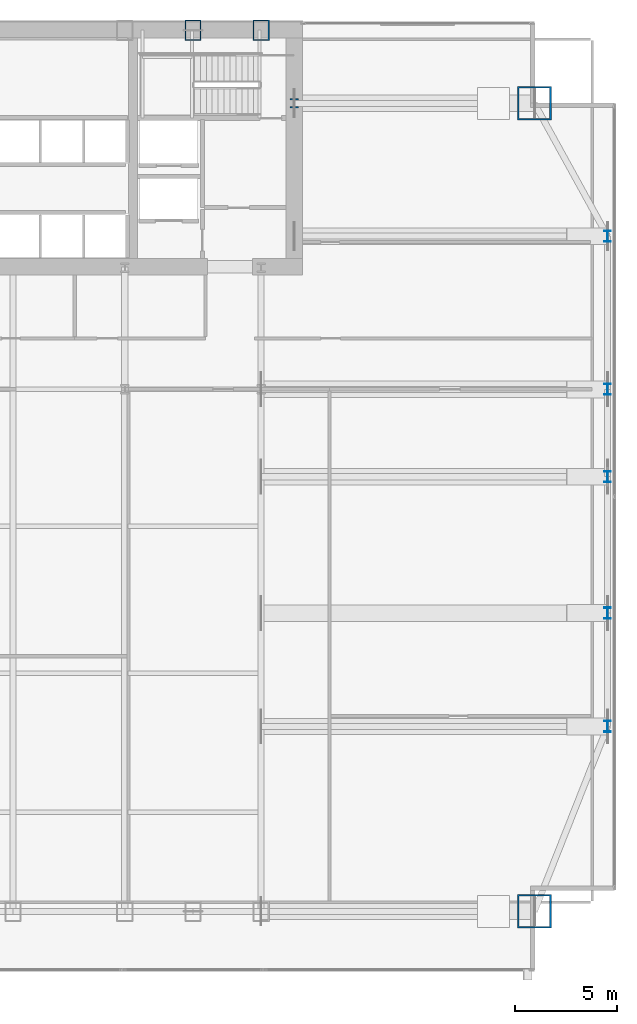
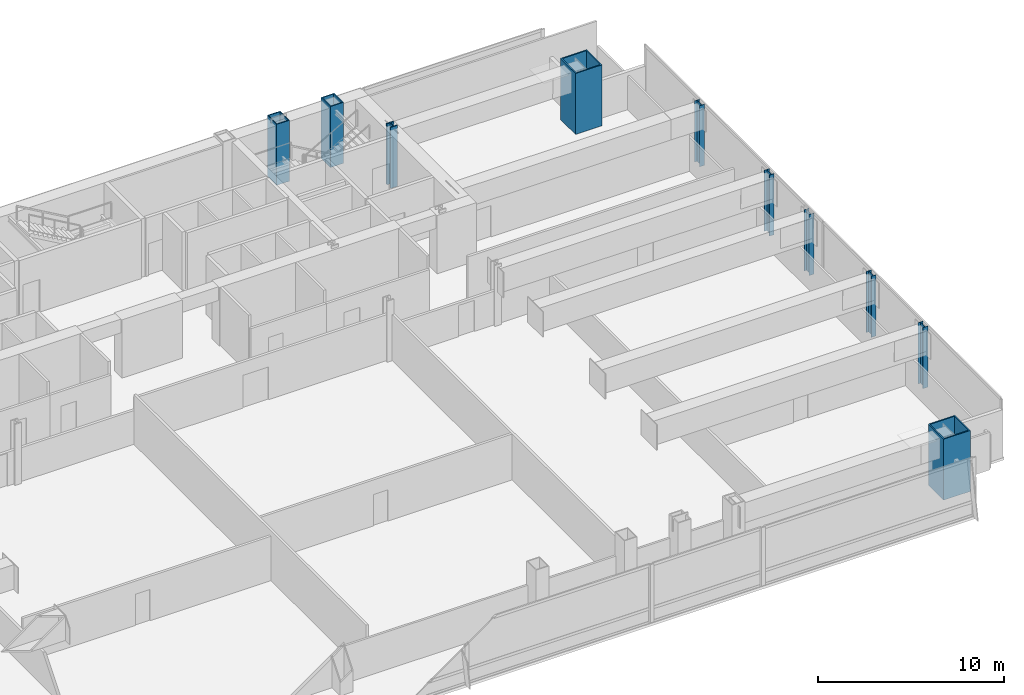
# One storey, part 4 of 32: 10 columns.
"""IFC4 building model written with IfcOpenShell, lengths in metres."""

from ifc_helpers import new_model, si_unit, direction, frame, origin, origin_2d, place, context, subcontext, project, spatial, hollow_rectangle, i_section, extrude, material, material_profile, profile_set, type_object, element, save


model = new_model("IFC4")

# Units and contexts
model_context = context("Model", 3, precision=1e-05, world=origin(), true_north=direction((0.0, 1.0)))
body_context = subcontext(model_context, "Body", "Model", "MODEL_VIEW")
ifc_project = project(units=[si_unit("LENGTHUNIT", "METRE"), si_unit("AREAUNIT", "SQUARE_METRE"), si_unit("VOLUMEUNIT", "CUBIC_METRE"), si_unit("PLANEANGLEUNIT", "RADIAN"), si_unit("MASSUNIT", "GRAM", prefix="KILO")], contexts=[model_context])

# Site, building, storey
site_placement = place(None, origin())
site = spatial("IfcSite", under=ifc_project, at=site_placement, CompositionType="ELEMENT")
building_placement = place(site_placement, origin())
building = spatial("IfcBuilding", under=site, at=building_placement, Name="Khoronbel Lancet Exchange", CompositionType="ELEMENT")
storey_placement = place(building_placement, frame((0.0, 0.0, 77.800048828125)))
storey = spatial("IfcBuildingStorey", under=building, at=storey_placement, Name="L18", CompositionType="ELEMENT", Elevation=77.800048828125)

# Columns
ifc_material_1 = material(Name="Steel S460", Category="steel")
ifc_material_profile_1 = material_profile(ifc_material_1, hollow_rectangle(XDim=0.800048828125, YDim=1.0, WallThickness=0.054931640625, at=origin_2d()), Name="BOX 1000x800x55")
ifc_profile_set_1 = profile_set([ifc_material_profile_1], Name="Steel S460")
column_type_1 = type_object("IfcColumnType", Name="COL-EC1", PredefinedType="COLUMN", material=ifc_profile_set_1)
for number, where, z_axis, x_axis, name in (
    (1, (51.33740234375, 53.280029296875, 0.0), (0.0, 0.0, 1.0), (1.0, 0.0, 0.0), "Structural column NC-EM L18"),
    (2, (54.675048828125, 53.280029296875, 0.0), (0.0, 0.0, 1.0), (1.0, 0.0, 0.0), "Structural column NC-E2 L18"),
):
    element("IfcColumn", number, at=place(storey_placement, frame(where, z_axis=z_axis, x_axis=x_axis)), inside=storey, type_object=column_type_1, Name=name, PredefinedType="COLUMN", context=body_context, shape_type="SweptSolid", body=[
        extrude(hollow_rectangle(XDim=0.800048828125, YDim=1.0, WallThickness=0.054931640625, at=origin_2d()), origin(), (0.0, 0.0, 1.0), 4.0),
    ])
ifc_material_profile_2 = material_profile(ifc_material_1, i_section(OverallWidth=0.424072265625, OverallDepth=0.47412109375, WebThickness=0.047607421875, FlangeThickness=0.076904296875, at=origin_2d()), Name="HD 400x634")
ifc_profile_set_2 = profile_set([ifc_material_profile_2], Name="Steel S460")
column_type_2 = type_object("IfcColumnType", Name="COL-IC1", PredefinedType="COLUMN", material=ifc_profile_set_2)
column_placement = place(storey_placement, frame((56.300048828125, 49.699951171875, 0.0), z_axis=(0.0, 0.0, 1.0), x_axis=(1.0, 0.0, 0.0)))
element("IfcColumn", 3, at=column_placement, inside=storey, type_object=column_type_2, Name="Core-flank plumb transfer column CFE L18", PredefinedType="COLUMN", context=body_context, shape_type="SweptSolid", body=[
    extrude(i_section(OverallWidth=0.424072265625, OverallDepth=0.47412109375, WebThickness=0.047607421875, FlangeThickness=0.076904296875, at=origin_2d()), origin(), (0.0, 0.0, 1.0), 4.0),
])
ifc_material_2 = material(Name="Steel S355", Category="steel")
ifc_material_profile_3 = material_profile(ifc_material_2, i_section(OverallWidth=0.300048828125, OverallDepth=0.550048828125, WebThickness=0.014892578125, FlangeThickness=0.029052734375, at=origin_2d()), Name="HEB 550")
ifc_profile_set_3 = profile_set([ifc_material_profile_3], Name="Steel S355")
column_type_3 = type_object("IfcColumnType", Name="COL-LC1", PredefinedType="COLUMN", material=ifc_profile_set_3)
for number, where, z_axis, x_axis, name in (
    (4, (71.6298828125, 19.199951171875, 0.0), (0.0, 0.0, 1.0), (1.0, 0.0, 0.0), "Structural column EC-1 L18"),
    (5, (71.6298828125, 24.75, 0.0), (0.0, 0.0, 1.0), (1.0, 0.0, 0.0), "Structural column EC-2 L18"),
    (6, (71.6298828125, 31.425048828125, 0.0), (0.0, 0.0, 1.0), (1.0, 0.0, 0.0), "Structural column EC-M L18"),
    (7, (71.6298828125, 35.699951171875, 0.0), (0.0, 0.0, 1.0), (1.0, 0.0, 0.0), "Structural column EC-3 L18"),
    (8, (71.6298828125, 43.199951171875, 0.0), (0.0, 0.0, 1.0), (1.0, 0.0, 0.0), "Structural column EC-4 L18"),
):
    element("IfcColumn", number, at=place(storey_placement, frame(where, z_axis=z_axis, x_axis=x_axis)), inside=storey, type_object=column_type_3, Name=name, PredefinedType="COLUMN", context=body_context, shape_type="SweptSolid", body=[
        extrude(i_section(OverallWidth=0.300048828125, OverallDepth=0.550048828125, WebThickness=0.014892578125, FlangeThickness=0.029052734375, at=origin_2d()), origin(), (0.0, 0.0, 1.0), 4.0),
    ])
ifc_material_profile_4 = material_profile(ifc_material_1, hollow_rectangle(XDim=1.64990234375, YDim=1.64990234375, WallThickness=0.074951171875, at=origin_2d()), Name="BOX 1650x1650x75")
ifc_profile_set_4 = profile_set([ifc_material_profile_4], Name="Steel S460")
column_type_4 = type_object("IfcColumnType", Name="COL-MC2", PredefinedType="COLUMN", material=ifc_profile_set_4)
for number, where, z_axis, x_axis, name in (
    (9, (68.050048828125, 10.14990234375, 0.0), (0.0, 0.0, 1.0), (1.0, 0.0, 0.0), "Structural column MC-SE L18"),
    (10, (68.050048828125, 49.699951171875, 0.0), (0.0, 0.0, 1.0), (1.0, 0.0, 0.0), "Structural column MC-NE L18"),
):
    element("IfcColumn", number, at=place(storey_placement, frame(where, z_axis=z_axis, x_axis=x_axis)), inside=storey, type_object=column_type_4, Name=name, PredefinedType="COLUMN", context=body_context, shape_type="SweptSolid", body=[
        extrude(hollow_rectangle(XDim=1.64990234375, YDim=1.64990234375, WallThickness=0.074951171875, at=origin_2d()), origin(), (0.0, 0.0, 1.0), 4.0),
    ])

save(model, "model.ifc")
